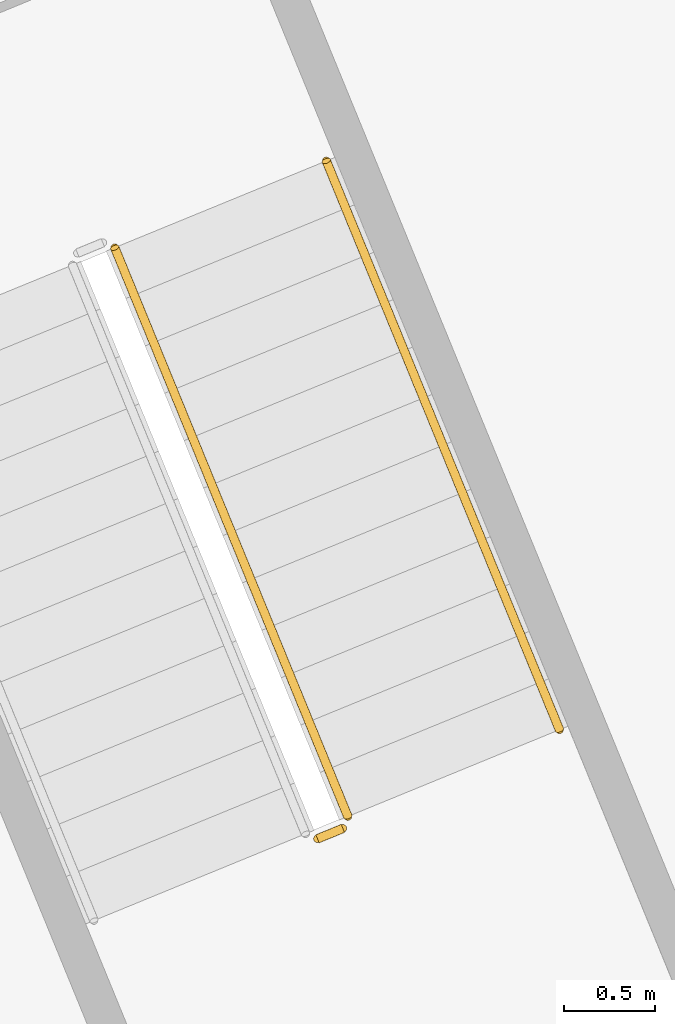
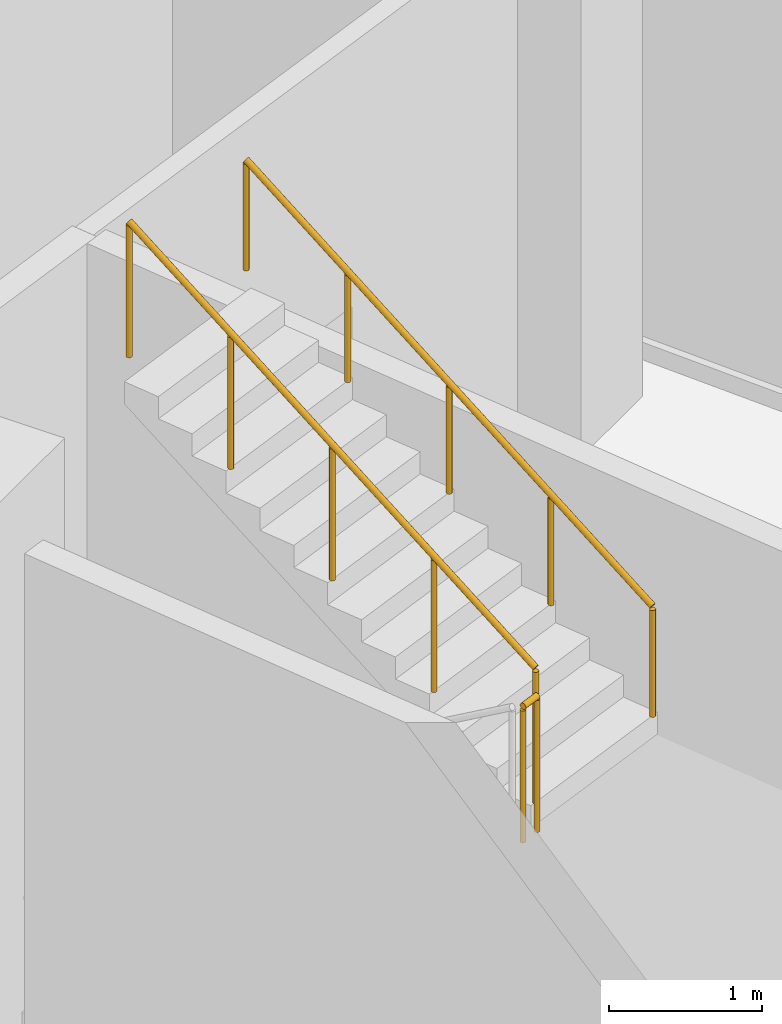
# One storey, part 39 of 39: 3 railings.
"""IFC4 building model written with IfcOpenShell, lengths in metres."""

from ifc_helpers import new_model, si_unit, direction, frame, origin, origin_2d, place, context, subcontext, project, spatial, circle, extrude, material, type_object, element, save


model = new_model("IFC4")

# Units and contexts
model_context = context("Model", 3, precision=1e-05, world=origin(), true_north=direction((0.0, 1.0)))
body_context = subcontext(model_context, "Body", "Model", "MODEL_VIEW")
ifc_project = project(units=[si_unit("LENGTHUNIT", "METRE"), si_unit("AREAUNIT", "SQUARE_METRE"), si_unit("VOLUMEUNIT", "CUBIC_METRE"), si_unit("PLANEANGLEUNIT", "RADIAN"), si_unit("MASSUNIT", "GRAM", prefix="KILO")], contexts=[model_context])

# Site, building, storey
site_placement = place(None, origin())
site = spatial("IfcSite", under=ifc_project, at=site_placement, CompositionType="ELEMENT")
building_placement = place(site_placement, origin())
building = spatial("IfcBuilding", under=site, at=building_placement, Name="Stone Belt Terrace Tower", CompositionType="ELEMENT")
storey_placement = place(building_placement, frame((0.0, 0.0, 20.800048828125)))
storey = spatial("IfcBuildingStorey", under=building, at=storey_placement, Name="L04", CompositionType="ELEMENT", Elevation=20.800048828125)

# Railings
ifc_material_1 = material(Name="Steel balustrade", Category="steel")
railing_type_1 = type_object("IfcRailingType", Name="Podium stair guard", PredefinedType="GUARDRAIL", material=ifc_material_1)
railing_1_placement = place(storey_placement, frame((59.5439453125, 29.873291015625, 2.300048828125)))
element("IfcRailing", 1, at=railing_1_placement, inside=storey, type_object=railing_type_1, Name="L04 PS4 stair guard 2", PredefinedType="GUARDRAIL", context=body_context, shape_type="SweptSolid", body=[
    extrude(circle(Radius=0.02392578125, at=origin_2d()), frame((0.0, 0.0, 1.076171875), z_axis=(0.925183283695, 0.379520607572, 0.0), x_axis=(-0.379520607572, 0.925183283695, 0.0)), (0.0, 0.0, 1.0), 0.14990234375),
    extrude(circle(Radius=0.02099609375, at=origin_2d()), origin(), (0.0, 0.0, 1.0), 1.052001953125),
    extrude(circle(Radius=0.02099609375, at=origin_2d()), frame((0.138671875, 0.056884765625, 0.0)), (0.0, 0.0, 1.0), 1.052001953125),
])
railing_2_placement = place(storey_placement, frame((59.7099609375, 29.995361328125, 2.476806640625)))
element("IfcRailing", 2, at=railing_2_placement, inside=storey, type_object=railing_type_1, Name="L04 PS4 stair guard 3", PredefinedType="GUARDRAIL", context=body_context, shape_type="SweptSolid", body=[
    extrude(circle(Radius=0.02392578125, at=origin_2d()), frame((0.0, 0.0, 1.076171875), z_axis=(-0.320592677529, 0.782224019096, 0.53417779724), x_axis=(-0.925301376681, -0.379232596584, 0.0)), (0.0, 0.0, 1.0), 3.974365234375),
    extrude(circle(Radius=0.02099609375, at=origin_2d()), origin(), (0.0, 0.0, 1.0), 1.052001953125),
    extrude(circle(Radius=0.02099609375, at=origin_2d()), frame((-0.318603515625, 0.77734375, 0.53076171875)), (0.0, 0.0, 1.0), 1.052001953125),
    extrude(circle(Radius=0.02099609375, at=origin_2d()), frame((-0.63720703125, 1.554443359375, 1.0615234375)), (0.0, 0.0, 1.0), 1.052001953125),
    extrude(circle(Radius=0.02099609375, at=origin_2d()), frame((-0.95556640625, 2.33154296875, 1.59228515625)), (0.0, 0.0, 1.0), 1.052001953125),
    extrude(circle(Radius=0.02099609375, at=origin_2d()), frame((-1.274169921875, 3.10888671875, 2.123046875)), (0.0, 0.0, 1.0), 1.052001953125),
])
ifc_material_2 = material(Name="Stainless steel handrail", Category="steel")
railing_type_2 = type_object("IfcRailingType", Name="Podium stair handrail", PredefinedType="HANDRAIL", material=ifc_material_2)
railing_3_placement = place(storey_placement, frame((60.86669921875, 30.469482421875, 2.476806640625)))
element("IfcRailing", 3, at=railing_3_placement, inside=storey, type_object=railing_type_2, Name="L04 PS4 stair handrail 2", PredefinedType="HANDRAIL", context=body_context, shape_type="SweptSolid", body=[
    extrude(circle(Radius=0.02392578125, at=origin_2d()), frame((0.0, 0.0, 0.8759765625), z_axis=(-0.320647790343, 0.782208613453, 0.534167276785), x_axis=(-0.925275877227, -0.379294807533, 0.0)), (0.0, 0.0, 1.0), 3.974609375),
    extrude(circle(Radius=0.02099609375, at=origin_2d()), origin(), (0.0, 0.0, 1.0), 0.851806640625),
    extrude(circle(Radius=0.02099609375, at=origin_2d()), frame((-0.318603515625, 0.77734375, 0.53076171875)), (0.0, 0.0, 1.0), 0.851806640625),
    extrude(circle(Radius=0.02099609375, at=origin_2d()), frame((-0.63720703125, 1.554443359375, 1.0615234375)), (0.0, 0.0, 1.0), 0.851806640625),
    extrude(circle(Radius=0.02099609375, at=origin_2d()), frame((-0.955810546875, 2.33154296875, 1.59228515625)), (0.0, 0.0, 1.0), 0.851806640625),
    extrude(circle(Radius=0.02099609375, at=origin_2d()), frame((-1.2744140625, 3.10888671875, 2.123046875)), (0.0, 0.0, 1.0), 0.851806640625),
])

save(model, "model.ifc")
